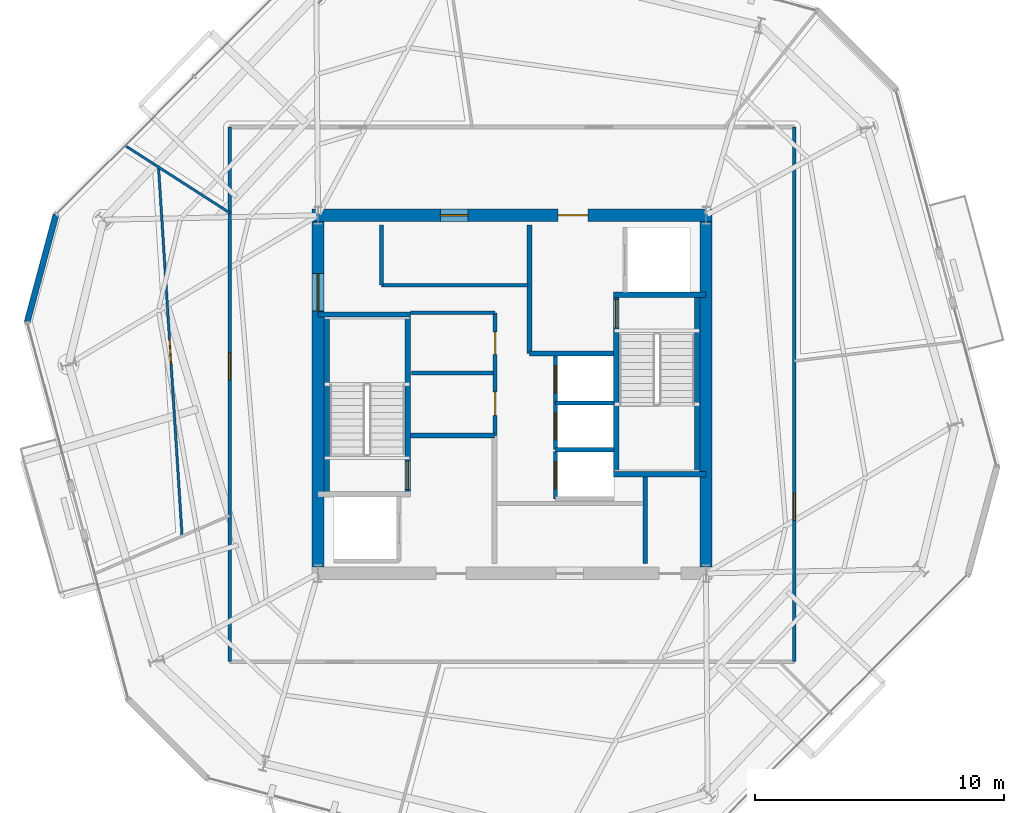
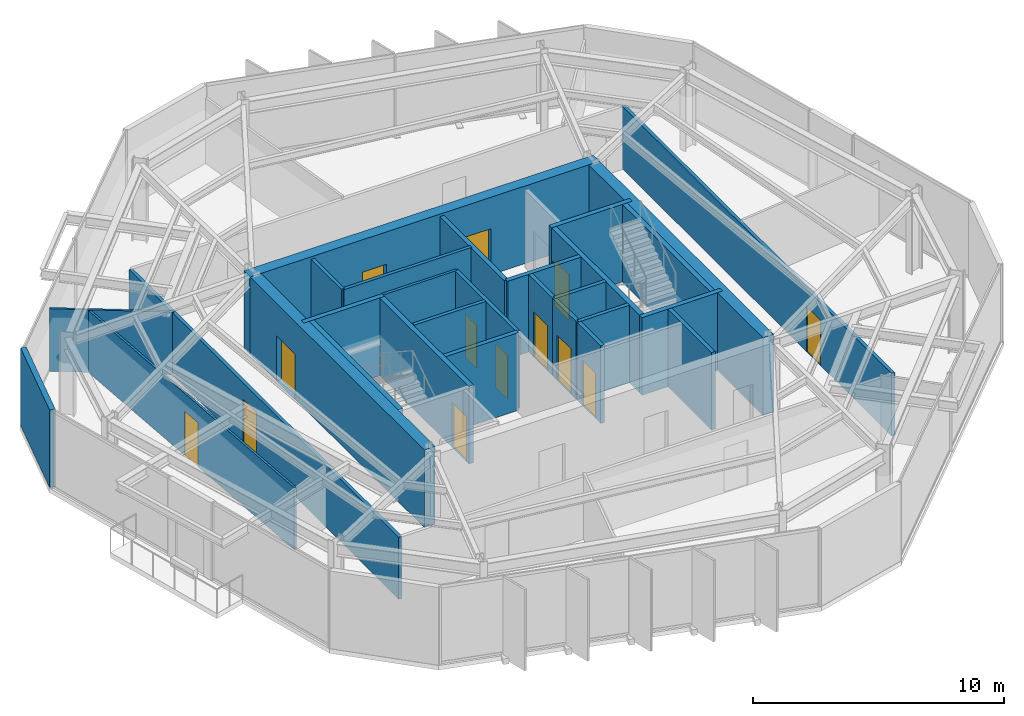
# One storey, part 8 of 12: 29 walls, 13 doors, 13 openings.
"""IFC4 building model written with IfcOpenShell, lengths in metres."""

from ifc_helpers import new_model, si_unit, direction, frame, frame_2d, origin, place, context, subcontext, project, spatial, rectangle, extrude, material, layer, layer_set, type_object, element, fill, save


model = new_model("IFC4")

# Units and contexts
model_context = context("Model", 3, precision=1e-05, world=origin(), true_north=direction((0.0, 1.0)))
body_context = subcontext(model_context, "Body", "Model", "MODEL_VIEW")
ifc_project = project(units=[si_unit("LENGTHUNIT", "METRE"), si_unit("AREAUNIT", "SQUARE_METRE"), si_unit("VOLUMEUNIT", "CUBIC_METRE"), si_unit("PLANEANGLEUNIT", "RADIAN"), si_unit("MASSUNIT", "GRAM", prefix="KILO")], contexts=[model_context])

# Site, building, storey
site_placement = place(None, origin())
site = spatial("IfcSite", under=ifc_project, at=site_placement, CompositionType="ELEMENT")
building_placement = place(site_placement, origin())
building = spatial("IfcBuilding", under=site, at=building_placement, Name="Kranzbogen Civic Tower", CompositionType="ELEMENT")
storey_placement = place(building_placement, frame((0.0, 0.0, 204.800048828125)))
storey = spatial("IfcBuildingStorey", under=building, at=storey_placement, Name="L49", CompositionType="ELEMENT", Elevation=204.800048828125)

# Walls
ifc_material_1 = material(Name="Double-Stud Acoustic Gypsum Partition")
ifc_layer_1 = layer(ifc_material_1, 0.14990234375, Name="Double-Stud Acoustic Gypsum Partition")
ifc_layer_set_1 = layer_set([ifc_layer_1], Name="Double-Stud Acoustic Gypsum Partition")
wall_type_1 = type_object("IfcWallType", Name="Acoustic Corridor and Clinical Partition 150 mm", PredefinedType="PARTITIONING", material=ifc_layer_set_1)
wall_1_placement = place(storey_placement, frame((19.75, 29.389892578125, 0.0), z_axis=(0.0, 0.0, 1.0), x_axis=(1.0, 0.0, 0.0)))
element("IfcWall", 1, at=wall_1_placement, inside=storey, type_object=wall_type_1, Name="L49 digital comms South wall", PredefinedType="PARTITIONING", context=body_context, shape_type="SweptSolid", body=[
    extrude(rectangle(XDim=5.89990234375, YDim=0.14990234375, at=frame_2d((2.949951171875, 0.0))), origin(), (0.0, 0.0, 1.0), 3.780029296875),
])
wall_2_placement = place(storey_placement, frame((19.75, 29.389892578125, 0.0), z_axis=(0.0, 0.0, 1.0), x_axis=(0.0, 1.0, 0.0)))
element("IfcWall", 2, at=wall_2_placement, inside=storey, type_object=wall_type_1, Name="L49 digital comms West wall", PredefinedType="PARTITIONING", context=body_context, shape_type="SweptSolid", body=[
    extrude(rectangle(XDim=2.41015625, YDim=0.14990234375, at=frame_2d((1.205078125, 0.0))), origin(), (0.0, 0.0, 1.0), 3.780029296875),
])

# Wall, opening, door
wall_3_placement = place(storey_placement, frame((36.35009765625, 35.75, 0.0), z_axis=(0.0, 0.0, 1.0), x_axis=(0.0, -1.0, 0.0)))
wall_3 = element("IfcWall", 3, at=wall_3_placement, inside=storey, type_object=wall_type_1, Name="L49 corridor partition 02", PredefinedType="PARTITIONING", context=body_context, shape_type="SweptSolid", body=[
    extrude(rectangle(XDim=21.5, YDim=0.14990234375, at=frame_2d((10.75, 0.0))), origin(), (0.0, 0.0, 1.0), 3.050048828125),
])
opening_1_placement = place(wall_3_placement, frame((14.717041015625, 0.0, 0.0)))
opening_1 = element("IfcOpeningElement", 4, at=opening_1_placement, cuts=wall_3, Name="Opening D-COR60", PredefinedType="OPENING", context=body_context, shape_type="SweptSolid", body=[
    extrude(rectangle(XDim=1.10009765625, YDim=2.199951171875, at=frame_2d((0.550048828125, 1.10009765625))), frame((0.0, 0.0849609375, 0.0), z_axis=(0.0, -1.0, 0.0), x_axis=(1.0, 0.0, 0.0)), (0.0, 0.0, 1.0), 0.169921875),
])
ifc_material_2 = material(Name="Oak Timber and Fire Core", Category="wood")
door_type_1 = type_object("IfcDoorType", Name="Corridor Acoustic Fire Door 1100x2200", OperationType="NOTDEFINED", PredefinedType="DOOR", material=ifc_material_2)
door_1_placement = place(opening_1_placement, origin())
door_1 = element("IfcDoor", 5, at=door_1_placement, inside=storey, type_object=door_type_1, Name="L49 Municipal Exhibition Showroom door", OperationType="SINGLE_SWING_LEFT", OverallHeight=2.199951171875, OverallWidth=1.10009765625, PredefinedType="DOOR", context=body_context, shape_type="SweptSolid", body=[
    extrude(rectangle(XDim=1.10009765625, YDim=2.199951171875, at=frame_2d((0.550048828125, 1.10009765625))), frame((0.0, 0.02490234375, 0.0), z_axis=(0.0, -1.0, 0.0), x_axis=(1.0, 0.0, 0.0)), (0.0, 0.0, 1.0), 0.050048828125),
])
fill(opening_1, door_1)

wall_4_placement = place(storey_placement, frame((13.64990234375, 14.25, 0.0), z_axis=(0.0, 0.0, 1.0), x_axis=(0.0, 1.0, 0.0)))
wall_4 = element("IfcWall", 6, at=wall_4_placement, inside=storey, type_object=wall_type_1, Name="L49 corridor partition 04", PredefinedType="PARTITIONING", context=body_context, shape_type="SweptSolid", body=[
    extrude(rectangle(XDim=21.5, YDim=0.14990234375, at=frame_2d((10.75, 0.0))), origin(), (0.0, 0.0, 1.0), 3.02001953125),
])
opening_2_placement = place(wall_4_placement, frame((11.3310546875, 0.0, 0.0)))
opening_2 = element("IfcOpeningElement", 7, at=opening_2_placement, cuts=wall_4, Name="Opening D-COR60", PredefinedType="OPENING", context=body_context, shape_type="SweptSolid", body=[
    extrude(rectangle(XDim=1.10009765625, YDim=2.199951171875, at=frame_2d((0.550048828125, 1.10009765625))), frame((0.0, 0.0849609375, 0.0), z_axis=(0.0, -1.0, 0.0), x_axis=(1.0, 0.0, 0.0)), (0.0, 0.0, 1.0), 0.169921875),
])
door_2_placement = place(opening_2_placement, origin())
door_2 = element("IfcDoor", 8, at=door_2_placement, inside=storey, type_object=door_type_1, Name="L49 Civic Reference Library door", OperationType="SINGLE_SWING_LEFT", OverallHeight=2.199951171875, OverallWidth=1.10009765625, PredefinedType="DOOR", context=body_context, shape_type="SweptSolid", body=[
    extrude(rectangle(XDim=1.10009765625, YDim=2.199951171875, at=frame_2d((0.550048828125, 1.10009765625))), frame((0.0, 0.02490234375, 0.0), z_axis=(0.0, -1.0, 0.0), x_axis=(1.0, 0.0, 0.0)), (0.0, 0.0, 1.0), 0.050048828125),
])
fill(opening_2, door_2)

# Wall
ifc_material_3 = material(Name="Insulated Metal-Stud Gypsum Partition")
ifc_layer_2 = layer(ifc_material_3, 0.125, Name="Insulated Metal-Stud Gypsum Partition")
ifc_layer_set_2 = layer_set([ifc_layer_2], Name="Insulated Metal-Stud Gypsum Partition")
wall_type_2 = type_object("IfcWallType", Name="Acoustic Inter-Room Partition 125 mm", PredefinedType="PARTITIONING", material=ifc_layer_set_2)
wall_5_placement = place(storey_placement, frame((20.919921875, 28.280029296875, 0.0), z_axis=(0.0, 0.0, 1.0), x_axis=(1.0, 0.0, 0.0)))
element("IfcWall", 9, at=wall_5_placement, inside=storey, type_object=wall_type_2, Name="L49 core auxiliary North wall", PredefinedType="PARTITIONING", context=body_context, shape_type="SweptSolid", body=[
    extrude(rectangle(XDim=3.405029296875, YDim=0.125, at=frame_2d((1.70263671875, 0.0))), origin(), (0.0, 0.0, 1.0), 3.780029296875),
])

# Wall, openings, doors
ifc_material_4 = material(Name="Concrete C45/55", Category="concrete")
ifc_layer_3 = layer(ifc_material_4, 0.5, Name="Concrete C45/55")
ifc_layer_set_3 = layer_set([ifc_layer_3], Name="Concrete C45/55")
wall_type_3 = type_object("IfcWallType", Name="Central Core Shear Wall 500 mm", PredefinedType="SHEAR", material=ifc_layer_set_3)
wall_6_placement = place(storey_placement, frame((33.050048828125, 32.199951171875, 0.0), z_axis=(0.0, 0.0, 1.0), x_axis=(-1.0, 0.0, 0.0)))
wall_6 = element("IfcWall", 10, at=wall_6_placement, inside=storey, type_object=wall_type_3, Name="L49 central core North shear wall", PredefinedType="SHEAR", context=body_context, shape_type="SweptSolid", body=[
    extrude(rectangle(XDim=16.10009765625, YDim=0.5, at=frame_2d((8.050048828125, 0.0))), origin(), (0.0, 0.0, 1.0), 3.780029296875),
])
opening_3_placement = place(wall_6_placement, frame((5.0, 0.0, 0.0)))
opening_3 = element("IfcOpeningElement", 11, at=opening_3_placement, cuts=wall_6, Name="Opening D-EX120", PredefinedType="OPENING", context=body_context, shape_type="SweptSolid", body=[
    extrude(rectangle(XDim=1.199951171875, YDim=2.25, at=frame_2d((0.60009765625, 1.125))), frame((0.0, 0.260009765625, 0.0), z_axis=(0.0, -1.0, 0.0), x_axis=(1.0, 0.0, 0.0)), (0.0, 0.0, 1.0), 0.52001953125),
])
opening_4_placement = place(wall_6_placement, frame((9.824951171875, 0.0, 0.0)))
opening_4 = element("IfcOpeningElement", 12, at=opening_4_placement, cuts=wall_6, Name="Opening D-COR60", PredefinedType="OPENING", context=body_context, shape_type="SweptSolid", body=[
    extrude(rectangle(XDim=1.10009765625, YDim=2.199951171875, at=frame_2d((0.550048828125, 1.10009765625))), frame((0.0, 0.260009765625, 0.0), z_axis=(0.0, -1.0, 0.0), x_axis=(1.0, 0.0, 0.0)), (0.0, 0.0, 1.0), 0.52001953125),
])
door_3_placement = place(opening_4_placement, origin())
door_3 = element("IfcDoor", 13, at=door_3_placement, inside=storey, type_object=door_type_1, Name="L49 DAT1 comms room door", OperationType="SINGLE_SWING_RIGHT", OverallHeight=2.199951171875, OverallWidth=1.10009765625, PredefinedType="DOOR", context=body_context, shape_type="SweptSolid", body=[
    extrude(rectangle(XDim=1.10009765625, YDim=2.199951171875, at=frame_2d((0.550048828125, 1.10009765625))), frame((0.0, 0.02490234375, 0.0), z_axis=(0.0, -1.0, 0.0), x_axis=(1.0, 0.0, 0.0)), (0.0, 0.0, 1.0), 0.050048828125),
])
fill(opening_4, door_3)
ifc_material_5 = material(Name="Steel S355", Category="steel")
door_type_2 = type_object("IfcDoorType", Name="Exit Passageway Fire Door 1200x2250", OperationType="NOTDEFINED", PredefinedType="DOOR", material=ifc_material_5)
door_4_placement = place(opening_3_placement, origin())
door_4 = element("IfcDoor", 14, at=door_4_placement, inside=storey, type_object=door_type_2, Name="L49 East firefighting lobby corridor door", OperationType="SINGLE_SWING_LEFT", OverallHeight=2.25, OverallWidth=1.199951171875, PredefinedType="DOOR", context=body_context, shape_type="SweptSolid", body=[
    extrude(rectangle(XDim=1.199951171875, YDim=2.25, at=frame_2d((0.60009765625, 1.125))), frame((0.0, 0.02490234375, 0.0), z_axis=(0.0, -1.0, 0.0), x_axis=(1.0, 0.0, 0.0)), (0.0, 0.0, 1.0), 0.050048828125),
])
fill(opening_3, door_4)

# Wall, opening, door
wall_7_placement = place(storey_placement, frame((17.199951171875, 31.949951171875, 0.0), z_axis=(0.0, 0.0, 1.0), x_axis=(0.0, -1.0, 0.0)))
wall_7 = element("IfcWall", 15, at=wall_7_placement, inside=storey, type_object=wall_type_3, Name="L49 central core West shear wall", PredefinedType="SHEAR", context=body_context, shape_type="SweptSolid", body=[
    extrude(rectangle(XDim=13.89990234375, YDim=0.5, at=frame_2d((6.949951171875, 0.0))), origin(), (0.0, 0.0, 1.0), 3.780029296875),
])
opening_5_placement = place(wall_7_placement, frame((2.10009765625, 0.0, 0.0)))
opening_5 = element("IfcOpeningElement", 16, at=opening_5_placement, cuts=wall_7, Name="Opening D-DBL15", PredefinedType="OPENING", context=body_context, shape_type="SweptSolid", body=[
    extrude(rectangle(XDim=1.5, YDim=2.199951171875, at=frame_2d((0.75, 1.10009765625))), frame((0.0, 0.260009765625, 0.0), z_axis=(0.0, -1.0, 0.0), x_axis=(1.0, 0.0, 0.0)), (0.0, 0.0, 1.0), 0.52001953125),
])
ifc_material_6 = material(Name="Anodised Bronze and Glass", Category="glass")
door_type_3 = type_object("IfcDoorType", Name="Civic Lobby Double Door 1500x2200", OperationType="DOUBLE_DOOR_SINGLE_SWING", PredefinedType="DOOR", material=ifc_material_6)
door_5_placement = place(opening_5_placement, origin())
door_5 = element("IfcDoor", 17, at=door_5_placement, inside=storey, type_object=door_type_3, Name="L49 Central Lift Lobby West concourse door", OperationType="DOUBLE_DOOR_SINGLE_SWING", OverallHeight=2.199951171875, OverallWidth=1.5, PredefinedType="DOOR", context=body_context, shape_type="SweptSolid", body=[
    extrude(rectangle(XDim=1.5, YDim=2.199951171875, at=frame_2d((0.75, 1.10009765625))), frame((0.0, 0.02490234375, 0.0), z_axis=(0.0, -1.0, 0.0), x_axis=(1.0, 0.0, 0.0)), (0.0, 0.0, 1.0), 0.050048828125),
])
fill(opening_5, door_5)

# Wall
wall_8_placement = place(storey_placement, frame((32.800048828125, 18.050048828125, 0.0), z_axis=(0.0, 0.0, 1.0), x_axis=(0.0, 1.0, 0.0)))
element("IfcWall", 18, at=wall_8_placement, inside=storey, type_object=wall_type_3, Name="L49 central core East shear wall", PredefinedType="SHEAR", context=body_context, shape_type="SweptSolid", body=[
    extrude(rectangle(XDim=13.89990234375, YDim=0.5, at=frame_2d((6.949951171875, 0.0))), origin(), (0.0, 0.0, 1.0), 3.780029296875),
])

# Wall, opening, door
ifc_layer_4 = layer(ifc_material_4, 0.219970703125, Name="Concrete C45/55")
ifc_layer_set_4 = layer_set([ifc_layer_4], Name="Concrete C45/55")
wall_type_4 = type_object("IfcWallType", Name="Core Internal Stair Structural Wall 220 mm", PredefinedType="SOLIDWALL", material=ifc_layer_set_4)
wall_9_placement = place(storey_placement, frame((20.81005859375, 20.989990234375, 0.0), z_axis=(0.0, 0.0, 1.0), x_axis=(0.0, 1.0, 0.0)))
wall_9 = element("IfcWall", 19, at=wall_9_placement, inside=storey, type_object=wall_type_4, Name="L49 ST-T1 East structural stair wall", PredefinedType="SOLIDWALL", context=body_context, shape_type="SweptSolid", body=[
    extrude(rectangle(XDim=7.219970703125, YDim=0.219970703125, at=frame_2d((3.60986328125, 0.0))), origin(), (0.0, 0.0, 1.0), 3.780029296875),
])
opening_6_placement = place(wall_9_placement, frame((0.179931640625, 0.0, 0.0)))
opening_6 = element("IfcOpeningElement", 20, at=opening_6_placement, cuts=wall_9, Name="Opening D-ST90", PredefinedType="OPENING", context=body_context, shape_type="SweptSolid", body=[
    extrude(rectangle(XDim=1.14990234375, YDim=2.199951171875, at=frame_2d((0.574951171875, 1.10009765625))), frame((0.0, 0.1201171875, 0.0), z_axis=(0.0, -1.0, 0.0), x_axis=(1.0, 0.0, 0.0)), (0.0, 0.0, 1.0), 0.239990234375),
])
door_type_4 = type_object("IfcDoorType", Name="Pressurized Stair and Lobby Fire Door 1150x2200", OperationType="NOTDEFINED", PredefinedType="DOOR", material=ifc_material_5)
door_6_placement = place(opening_6_placement, origin())
door_6 = element("IfcDoor", 21, at=door_6_placement, inside=storey, type_object=door_type_4, Name="L49 Stair ST-T1 fire door", OperationType="SINGLE_SWING_RIGHT", OverallHeight=2.199951171875, OverallWidth=1.14990234375, PredefinedType="DOOR", context=body_context, shape_type="SweptSolid", body=[
    extrude(rectangle(XDim=1.14990234375, YDim=2.199951171875, at=frame_2d((0.574951171875, 1.10009765625))), frame((0.0, 0.02490234375, 0.0), z_axis=(0.0, -1.0, 0.0), x_axis=(1.0, 0.0, 0.0)), (0.0, 0.0, 1.0), 0.050048828125),
])
fill(opening_6, door_6)

# Walls
wall_10_placement = place(storey_placement, frame((17.199951171875, 28.2099609375, 0.0), z_axis=(0.0, 0.0, 1.0), x_axis=(1.0, 0.0, 0.0)))
element("IfcWall", 22, at=wall_10_placement, inside=storey, type_object=wall_type_4, Name="L49 ST-T1 North structural stair wall", PredefinedType="SOLIDWALL", context=body_context, shape_type="SweptSolid", body=[
    extrude(rectangle(XDim=3.719970703125, YDim=0.219970703125, at=frame_2d((1.85986328125, 0.0))), origin(), (0.0, 0.0, 1.0), 3.780029296875),
])
wall_11_placement = place(storey_placement, frame((17.554931640625, 28.2099609375, 0.0), z_axis=(0.0, 0.0, 1.0), x_axis=(0.0, -1.0, 0.0)))
element("IfcWall", 23, at=wall_11_placement, inside=storey, type_object=wall_type_4, Name="L49 ST-T1 West structural stair wall", PredefinedType="SOLIDWALL", context=body_context, shape_type="SweptSolid", body=[
    extrude(rectangle(XDim=7.219970703125, YDim=0.219970703125, at=frame_2d((3.60986328125, 0.0))), origin(), (0.0, 0.0, 1.0), 3.780029296875),
])

# Wall, opening, door
wall_12_placement = place(storey_placement, frame((29.18994140625, 21.7900390625, 0.0), z_axis=(0.0, 0.0, 1.0), x_axis=(0.0, 1.0, 0.0)))
wall_12 = element("IfcWall", 24, at=wall_12_placement, inside=storey, type_object=wall_type_4, Name="L49 ST-T2 West structural stair wall", PredefinedType="SOLIDWALL", context=body_context, shape_type="SweptSolid", body=[
    extrude(rectangle(XDim=7.219970703125, YDim=0.219970703125, at=frame_2d((3.60986328125, 0.0))), origin(), (0.0, 0.0, 1.0), 3.780029296875),
])
opening_7_placement = place(wall_12_placement, frame((5.8798828125, 0.0, 0.0)))
opening_7 = element("IfcOpeningElement", 25, at=opening_7_placement, cuts=wall_12, Name="Opening D-ST90", PredefinedType="OPENING", context=body_context, shape_type="SweptSolid", body=[
    extrude(rectangle(XDim=1.14990234375, YDim=2.199951171875, at=frame_2d((0.574951171875, 1.10009765625))), frame((0.0, 0.1201171875, 0.0), z_axis=(0.0, -1.0, 0.0), x_axis=(1.0, 0.0, 0.0)), (0.0, 0.0, 1.0), 0.239990234375),
])
door_7_placement = place(opening_7_placement, origin())
door_7 = element("IfcDoor", 26, at=door_7_placement, inside=storey, type_object=door_type_4, Name="L49 Stair ST-T2 fire door", OperationType="SINGLE_SWING_LEFT", OverallHeight=2.199951171875, OverallWidth=1.14990234375, PredefinedType="DOOR", context=body_context, shape_type="SweptSolid", body=[
    extrude(rectangle(XDim=1.14990234375, YDim=2.199951171875, at=frame_2d((0.574951171875, 1.10009765625))), frame((0.0, 0.02490234375, 0.0), z_axis=(0.0, -1.0, 0.0), x_axis=(1.0, 0.0, 0.0)), (0.0, 0.0, 1.0), 0.050048828125),
])
fill(opening_7, door_7)

# Walls
for number, where, z_axis, x_axis, name in (
    (27, (29.080078125, 21.7900390625, 0.0), (0.0, 0.0, 1.0), (1.0, 0.0, 0.0), "L49 ST-T2 South structural stair wall"),
    (28, (29.080078125, 29.010009765625, 0.0), (0.0, 0.0, 1.0), (1.0, 0.0, 0.0), "L49 ST-T2 North structural stair wall"),
):
    element("IfcWall", number, at=place(storey_placement, frame(where, z_axis=z_axis, x_axis=x_axis)), inside=storey, type_object=wall_type_4, Name=name, PredefinedType="SOLIDWALL", context=body_context, shape_type="SweptSolid", body=[
        extrude(rectangle(XDim=3.719970703125, YDim=0.219970703125, at=frame_2d((1.85986328125, 0.0))), origin(), (0.0, 0.0, 1.0), 3.780029296875),
    ])
wall_13_placement = place(storey_placement, frame((32.445068359375, 29.010009765625, 0.0), z_axis=(0.0, 0.0, 1.0), x_axis=(0.0, -1.0, 0.0)))
element("IfcWall", 29, at=wall_13_placement, inside=storey, type_object=wall_type_4, Name="L49 ST-T2 East structural stair wall", PredefinedType="SOLIDWALL", context=body_context, shape_type="SweptSolid", body=[
    extrude(rectangle(XDim=7.219970703125, YDim=0.219970703125, at=frame_2d((3.60986328125, 0.0))), origin(), (0.0, 0.0, 1.0), 3.780029296875),
])
ifc_material_7 = material(Name="Demountable Aluminium and Gypsum Partition", Category="aluminium")
ifc_layer_5 = layer(ifc_material_7, 0.10009765625, Name="Demountable Aluminium and Gypsum Partition")
ifc_layer_set_5 = layer_set([ifc_layer_5], Name="Demountable Aluminium and Gypsum Partition")
wall_type_5 = type_object("IfcWallType", Name="Demountable Office Partition 100 mm", PredefinedType="MOVABLE", material=ifc_layer_set_5)
wall_14_placement = place(storey_placement, frame((13.64990234375, 32.298095703125, 0.0), z_axis=(0.0, 0.0, 1.0), x_axis=(-0.841207133727, 0.540713009061, 0.0)))
element("IfcWall", 30, at=wall_14_placement, inside=storey, type_object=wall_type_5, Name="L49 radial room partition 02", PredefinedType="MOVABLE", context=body_context, shape_type="SweptSolid", body=[
    extrude(rectangle(XDim=4.98193359375, YDim=0.10009765625, at=frame_2d((2.490966796875, 0.0))), origin(), (0.0, 0.0, 1.0), 3.050048828125),
])

# Wall, opening, door
wall_15_placement = place(storey_placement, frame((10.7900390625, 34.118896484375, 0.0), z_axis=(0.0, 0.0, 1.0), x_axis=(0.063709221748, -0.997968504044, 0.0)))
wall_15 = element("IfcWall", 31, at=wall_15_placement, inside=storey, type_object=wall_type_5, Name="L49 suite chord partition 01", PredefinedType="MOVABLE", context=body_context, shape_type="SweptSolid", body=[
    extrude(rectangle(XDim=14.833984375, YDim=0.10009765625, at=frame_2d((7.4169921875, 0.0))), origin(), (0.0, 0.0, 1.0), 3.02001953125),
])
opening_8_placement = place(wall_15_placement, frame((6.9169921875, 0.0, 0.0)))
opening_8 = element("IfcOpeningElement", 32, at=opening_8_placement, cuts=wall_15, Name="Opening D-OFC10", PredefinedType="OPENING", context=body_context, shape_type="SweptSolid", body=[
    extrude(rectangle(XDim=1.0, YDim=2.14990234375, at=frame_2d((0.5, 1.074951171875))), frame((0.0, 0.06005859375, 0.0), z_axis=(0.0, -1.0, 0.0), x_axis=(1.0, 0.0, 0.0)), (0.0, 0.0, 1.0), 0.1201171875),
])
ifc_material_8 = material(Name="Oak Timber Veneer", Category="wood")
door_type_5 = type_object("IfcDoorType", Name="Standard Office Acoustic Door 1000x2150", OperationType="NOTDEFINED", PredefinedType="DOOR", material=ifc_material_8)
door_8_placement = place(opening_8_placement, origin())
door_8 = element("IfcDoor", 33, at=door_8_placement, inside=storey, type_object=door_type_5, Name="L49 Urban Design Workshop door", OperationType="SINGLE_SWING_RIGHT", OverallHeight=2.14990234375, OverallWidth=1.0, PredefinedType="DOOR", context=body_context, shape_type="SweptSolid", body=[
    extrude(rectangle(XDim=1.0, YDim=2.14990234375, at=frame_2d((0.5, 1.074951171875))), frame((0.0, 0.02490234375, 0.0), z_axis=(0.0, -1.0, 0.0), x_axis=(1.0, 0.0, 0.0)), (0.0, 0.0, 1.0), 0.050048828125),
])
fill(opening_8, door_8)

# Walls
ifc_material_9 = material(Name="Gypsum Fireboard and Concrete Block", Category="concrete")
ifc_layer_6 = layer(ifc_material_9, 0.199951171875, Name="Gypsum Fireboard and Concrete Block")
ifc_layer_set_6 = layer_set([ifc_layer_6], Name="Gypsum Fireboard and Concrete Block")
wall_type_6 = type_object("IfcWallType", Name="Fire-Rated Exit Passageway and Stair Wall 200 mm", PredefinedType="PARTITIONING", material=ifc_layer_set_6)
wall_16_placement = place(storey_placement, frame((20.919921875, 23.35009765625, 0.0), z_axis=(0.0, 0.0, 1.0), x_axis=(1.0, 0.0, 0.0)))
element("IfcWall", 34, at=wall_16_placement, inside=storey, type_object=wall_type_6, Name="L49 West firefighting lobby North wall", PredefinedType="PARTITIONING", context=body_context, shape_type="SweptSolid", body=[
    extrude(rectangle(XDim=3.380126953125, YDim=0.199951171875, at=frame_2d((1.68994140625, 0.0))), origin(), (0.0, 0.0, 1.0), 3.780029296875),
])
wall_17_placement = place(storey_placement, frame((25.699951171875, 26.64990234375, 0.0), z_axis=(0.0, 0.0, 1.0), x_axis=(0.0, 1.0, 0.0)))
element("IfcWall", 35, at=wall_17_placement, inside=storey, type_object=wall_type_6, Name="L49 East firefighting lobby West wall", PredefinedType="PARTITIONING", context=body_context, shape_type="SweptSolid", body=[
    extrude(rectangle(XDim=5.150146484375, YDim=0.199951171875, at=frame_2d((2.5751953125, 0.0))), origin(), (0.0, 0.0, 1.0), 3.780029296875),
])
wall_18_placement = place(storey_placement, frame((25.699951171875, 26.64990234375, 0.0), z_axis=(0.0, 0.0, 1.0), x_axis=(1.0, 0.0, 0.0)))
element("IfcWall", 36, at=wall_18_placement, inside=storey, type_object=wall_type_6, Name="L49 East firefighting lobby South wall", PredefinedType="PARTITIONING", context=body_context, shape_type="SweptSolid", body=[
    extrude(rectangle(XDim=3.380126953125, YDim=0.199951171875, at=frame_2d((1.68994140625, 0.0))), origin(), (0.0, 0.0, 1.0), 3.780029296875),
])
ifc_material_10 = material(Name="Gypsum Fireboard Shaftliner")
ifc_layer_7 = layer(ifc_material_10, 0.175048828125, Name="Gypsum Fireboard Shaftliner")
ifc_layer_set_7 = layer_set([ifc_layer_7], Name="Gypsum Fireboard Shaftliner")
wall_type_7 = type_object("IfcWallType", Name="Fire-Rated Lift and Service Shaft Wall 175 mm", PredefinedType="PARTITIONING", material=ifc_layer_set_7)
wall_19_placement = place(storey_placement, frame((30.35009765625, 18.199951171875, 0.0), z_axis=(0.0, 0.0, 1.0), x_axis=(0.0, 1.0, 0.0)))
element("IfcWall", 37, at=wall_19_placement, inside=storey, type_object=wall_type_7, Name="L49 East core riser West wall", PredefinedType="PARTITIONING", context=body_context, shape_type="SweptSolid", body=[
    extrude(rectangle(XDim=3.47998046875, YDim=0.175048828125, at=frame_2d((1.739990234375, 0.0))), origin(), (0.0, 0.0, 1.0), 3.780029296875),
])

# Wall, opening, door
wall_20_placement = place(storey_placement, frame((26.75, 20.800048828125, 0.0), z_axis=(0.0, 0.0, 1.0), x_axis=(0.0, 1.0, 0.0)))
wall_20 = element("IfcWall", 38, at=wall_20_placement, inside=storey, type_object=wall_type_7, Name="L49 lift HP-01 landing wall", PredefinedType="PARTITIONING", context=body_context, shape_type="SweptSolid", body=[
    extrude(rectangle(XDim=1.89990234375, YDim=0.175048828125, at=frame_2d((0.949951171875, 0.0))), origin(), (0.0, 0.0, 1.0), 3.780029296875),
])
opening_9_placement = place(wall_20_placement, frame((0.39990234375, 0.0, 0.0)))
opening_9 = element("IfcOpeningElement", 39, at=opening_9_placement, cuts=wall_20, Name="Opening LD-HP-01", PredefinedType="OPENING", context=body_context, shape_type="SweptSolid", body=[
    extrude(rectangle(XDim=1.10009765625, YDim=2.199951171875, at=frame_2d((0.550048828125, 1.10009765625))), frame((0.0, 0.09765625, 0.0), z_axis=(0.0, -1.0, 0.0), x_axis=(1.0, 0.0, 0.0)), (0.0, 0.0, 1.0), 0.195068359375),
])
ifc_material_11 = material(Name="Pale Anodised Aluminium", Category="aluminium")
door_type_6 = type_object("IfcDoorType", Name="Passenger Lift Sliding Landing Door 1100x2200", OperationType="DOUBLE_DOOR_SLIDING", PredefinedType="DOOR", material=ifc_material_11)
door_9_placement = place(opening_9_placement, origin())
door_9 = element("IfcDoor", 40, at=door_9_placement, inside=storey, type_object=door_type_6, Name="L49 lift HP-01 sliding landing door", OperationType="DOUBLE_DOOR_SLIDING", OverallHeight=2.199951171875, OverallWidth=1.10009765625, PredefinedType="DOOR", context=body_context, shape_type="SweptSolid", body=[
    extrude(rectangle(XDim=1.10009765625, YDim=2.199951171875, at=frame_2d((0.550048828125, 1.10009765625))), frame((0.0, 0.02490234375, 0.0), z_axis=(0.0, -1.0, 0.0), x_axis=(1.0, 0.0, 0.0)), (0.0, 0.0, 1.0), 0.050048828125),
])
fill(opening_9, door_9)

wall_21_placement = place(storey_placement, frame((26.75, 22.77490234375, 0.0), z_axis=(0.0, 0.0, 1.0), x_axis=(0.0, 1.0, 0.0)))
wall_21 = element("IfcWall", 41, at=wall_21_placement, inside=storey, type_object=wall_type_7, Name="L49 lift HP-02 landing wall", PredefinedType="PARTITIONING", context=body_context, shape_type="SweptSolid", body=[
    extrude(rectangle(XDim=1.900146484375, YDim=0.175048828125, at=frame_2d((0.9501953125, 0.0))), origin(), (0.0, 0.0, 1.0), 3.780029296875),
])
opening_10_placement = place(wall_21_placement, frame((0.39990234375, 0.0, 0.0)))
opening_10 = element("IfcOpeningElement", 42, at=opening_10_placement, cuts=wall_21, Name="Opening LD-HP-02", PredefinedType="OPENING", context=body_context, shape_type="SweptSolid", body=[
    extrude(rectangle(XDim=1.10009765625, YDim=2.199951171875, at=frame_2d((0.550048828125, 1.10009765625))), frame((0.0, 0.09765625, 0.0), z_axis=(0.0, -1.0, 0.0), x_axis=(1.0, 0.0, 0.0)), (0.0, 0.0, 1.0), 0.195068359375),
])
door_10_placement = place(opening_10_placement, origin())
door_10 = element("IfcDoor", 43, at=door_10_placement, inside=storey, type_object=door_type_6, Name="L49 lift HP-02 sliding landing door", OperationType="DOUBLE_DOOR_SLIDING", OverallHeight=2.199951171875, OverallWidth=1.10009765625, PredefinedType="DOOR", context=body_context, shape_type="SweptSolid", body=[
    extrude(rectangle(XDim=1.10009765625, YDim=2.199951171875, at=frame_2d((0.550048828125, 1.10009765625))), frame((0.0, 0.02490234375, 0.0), z_axis=(0.0, -1.0, 0.0), x_axis=(1.0, 0.0, 0.0)), (0.0, 0.0, 1.0), 0.050048828125),
])
fill(opening_10, door_10)

# Wall
wall_22_placement = place(storey_placement, frame((26.75, 22.77490234375, 0.0), z_axis=(0.0, 0.0, 1.0), x_axis=(1.0, 0.0, 0.0)))
element("IfcWall", 44, at=wall_22_placement, inside=storey, type_object=wall_type_7, Name="L49 lift HP-02 side wall", PredefinedType="PARTITIONING", context=body_context, shape_type="SweptSolid", body=[
    extrude(rectangle(XDim=2.35009765625, YDim=0.175048828125, at=frame_2d((1.175048828125, 0.0))), origin(), (0.0, 0.0, 1.0), 3.780029296875),
])

# Wall, opening, door
wall_23_placement = place(storey_placement, frame((26.75, 24.64990234375, 0.0), z_axis=(0.0, 0.0, 1.0), x_axis=(0.0, 1.0, 0.0)))
wall_23 = element("IfcWall", 45, at=wall_23_placement, inside=storey, type_object=wall_type_7, Name="L49 lift HP-03 landing wall", PredefinedType="PARTITIONING", context=body_context, shape_type="SweptSolid", body=[
    extrude(rectangle(XDim=1.900146484375, YDim=0.175048828125, at=frame_2d((0.9501953125, 0.0))), origin(), (0.0, 0.0, 1.0), 3.780029296875),
])
opening_11_placement = place(wall_23_placement, frame((0.39990234375, 0.0, 0.0)))
opening_11 = element("IfcOpeningElement", 46, at=opening_11_placement, cuts=wall_23, Name="Opening LD-HP-03", PredefinedType="OPENING", context=body_context, shape_type="SweptSolid", body=[
    extrude(rectangle(XDim=1.10009765625, YDim=2.199951171875, at=frame_2d((0.550048828125, 1.10009765625))), frame((0.0, 0.09765625, 0.0), z_axis=(0.0, -1.0, 0.0), x_axis=(1.0, 0.0, 0.0)), (0.0, 0.0, 1.0), 0.195068359375),
])
door_11_placement = place(opening_11_placement, origin())
door_11 = element("IfcDoor", 47, at=door_11_placement, inside=storey, type_object=door_type_6, Name="L49 lift HP-03 sliding landing door", OperationType="DOUBLE_DOOR_SLIDING", OverallHeight=2.199951171875, OverallWidth=1.10009765625, PredefinedType="DOOR", context=body_context, shape_type="SweptSolid", body=[
    extrude(rectangle(XDim=1.10009765625, YDim=2.199951171875, at=frame_2d((0.550048828125, 1.10009765625))), frame((0.0, 0.02490234375, 0.0), z_axis=(0.0, -1.0, 0.0), x_axis=(1.0, 0.0, 0.0)), (0.0, 0.0, 1.0), 0.050048828125),
])
fill(opening_11, door_11)

# Walls
wall_24_placement = place(storey_placement, frame((26.75, 24.64990234375, 0.0), z_axis=(0.0, 0.0, 1.0), x_axis=(1.0, 0.0, 0.0)))
element("IfcWall", 48, at=wall_24_placement, inside=storey, type_object=wall_type_7, Name="L49 lift HP-03 side wall", PredefinedType="PARTITIONING", context=body_context, shape_type="SweptSolid", body=[
    extrude(rectangle(XDim=2.35009765625, YDim=0.175048828125, at=frame_2d((1.175048828125, 0.0))), origin(), (0.0, 0.0, 1.0), 3.780029296875),
])
ifc_layer_8 = layer(ifc_material_11, 0.239990234375, Name="Pale Anodised Aluminium")
ifc_layer_set_8 = layer_set([ifc_layer_8], Name="Pale Anodised Aluminium")
wall_type_8 = type_object("IfcWallType", Name="Insulated Aluminium Facade Portal Wall 240 mm", PredefinedType="STANDARD", material=ifc_layer_set_8)
wall_25_placement = place(storey_placement, frame((6.66796875, 32.22509765625, 0.0), z_axis=(0.0, 0.0, 1.0), x_axis=(-0.258917234221, -0.965899511245, 0.0)))
element("IfcWall", 49, at=wall_25_placement, inside=storey, type_object=wall_type_8, Name="L49 chamfered corner facade spandrel 2", PredefinedType="STANDARD", context=body_context, shape_type="SweptSolid", body=[
    extrude(rectangle(XDim=4.468505859375, YDim=0.239990234375, at=frame_2d((2.234375, 0.0))), origin(), (0.0, 0.0, 1.0), 3.780029296875),
])

# Wall, openings, doors
ifc_material_12 = material(Name="Moisture-Resistant Gypsum Assembly")
ifc_layer_9 = layer(ifc_material_12, 0.159912109375, Name="Moisture-Resistant Gypsum Assembly")
ifc_layer_set_9 = layer_set([ifc_layer_9], Name="Moisture-Resistant Gypsum Assembly")
wall_type_9 = type_object("IfcWallType", Name="Sanitary and Plumbing Wet Wall 160 mm", PredefinedType="PLUMBINGWALL", material=ifc_layer_set_9)
wall_26_placement = place(storey_placement, frame((24.324951171875, 23.35009765625, 0.0), z_axis=(0.0, 0.0, 1.0), x_axis=(0.0, 1.0, 0.0)))
wall_26 = element("IfcWall", 50, at=wall_26_placement, inside=storey, type_object=wall_type_9, Name="L49 core auxiliary East wall", PredefinedType="PLUMBINGWALL", context=body_context, shape_type="SweptSolid", body=[
    extrude(rectangle(XDim=4.929931640625, YDim=0.159912109375, at=frame_2d((2.46484375, 0.0))), origin(), (0.0, 0.0, 1.0), 3.780029296875),
])
opening_12_placement = place(wall_26_placement, frame((0.800048828125, 0.0, 0.0)))
opening_12 = element("IfcOpeningElement", 51, at=opening_12_placement, cuts=wall_26, Name="Opening D-AWC95", PredefinedType="OPENING", context=body_context, shape_type="SweptSolid", body=[
    extrude(rectangle(XDim=0.949951171875, YDim=2.10009765625, at=frame_2d((0.47509765625, 1.050048828125))), frame((0.0, 0.08984375, 0.0), z_axis=(0.0, -1.0, 0.0), x_axis=(1.0, 0.0, 0.0)), (0.0, 0.0, 1.0), 0.179931640625),
])
opening_13_placement = place(wall_26_placement, frame((3.260009765625, 0.0, 0.0)))
opening_13 = element("IfcOpeningElement", 52, at=opening_13_placement, cuts=wall_26, Name="Opening D-WC90", PredefinedType="OPENING", context=body_context, shape_type="SweptSolid", body=[
    extrude(rectangle(XDim=0.89990234375, YDim=2.10009765625, at=frame_2d((0.449951171875, 1.050048828125))), frame((0.0, 0.08984375, 0.0), z_axis=(0.0, -1.0, 0.0), x_axis=(1.0, 0.0, 0.0)), (0.0, 0.0, 1.0), 0.179931640625),
])
ifc_material_13 = material(Name="Moisture-Resistant Laminate")
door_type_7 = type_object("IfcDoorType", Name="Accessible Restroom Door 950x2100", OperationType="NOTDEFINED", PredefinedType="DOOR", material=ifc_material_13)
door_12_placement = place(opening_12_placement, origin())
door_12 = element("IfcDoor", 53, at=door_12_placement, inside=storey, type_object=door_type_7, Name="L49 Accessible Restroom door", OperationType="SINGLE_SWING_RIGHT", OverallHeight=2.10009765625, OverallWidth=0.949951171875, PredefinedType="DOOR", context=body_context, shape_type="SweptSolid", body=[
    extrude(rectangle(XDim=0.949951171875, YDim=2.10009765625, at=frame_2d((0.47509765625, 1.050048828125))), frame((0.0, 0.02490234375, 0.0), z_axis=(0.0, -1.0, 0.0), x_axis=(1.0, 0.0, 0.0)), (0.0, 0.0, 1.0), 0.050048828125),
])
fill(opening_12, door_12)
door_type_8 = type_object("IfcDoorType", Name="Standard Restroom and Store Door 900x2100", OperationType="NOTDEFINED", PredefinedType="DOOR", material=ifc_material_13)
door_13_placement = place(opening_13_placement, origin())
door_13 = element("IfcDoor", 54, at=door_13_placement, inside=storey, type_object=door_type_8, Name="L49 Staff Restroom door", OperationType="SINGLE_SWING_LEFT", OverallHeight=2.10009765625, OverallWidth=0.89990234375, PredefinedType="DOOR", context=body_context, shape_type="SweptSolid", body=[
    extrude(rectangle(XDim=0.89990234375, YDim=2.10009765625, at=frame_2d((0.449951171875, 1.050048828125))), frame((0.0, 0.02490234375, 0.0), z_axis=(0.0, -1.0, 0.0), x_axis=(1.0, 0.0, 0.0)), (0.0, 0.0, 1.0), 0.050048828125),
])
fill(opening_13, door_13)

# Wall
wall_27_placement = place(storey_placement, frame((20.949951171875, 25.860107421875, 0.0), z_axis=(0.0, 0.0, 1.0), x_axis=(1.0, 0.0, 0.0)))
element("IfcWall", 55, at=wall_27_placement, inside=storey, type_object=wall_type_9, Name="L49 core auxiliary partition 1", PredefinedType="PLUMBINGWALL", context=body_context, shape_type="SweptSolid", body=[
    extrude(rectangle(XDim=3.300048828125, YDim=0.159912109375, at=frame_2d((1.64990234375, 0.0))), origin(), (0.0, 0.0, 1.0), 3.780029296875),
])

save(model, "model.ifc")
